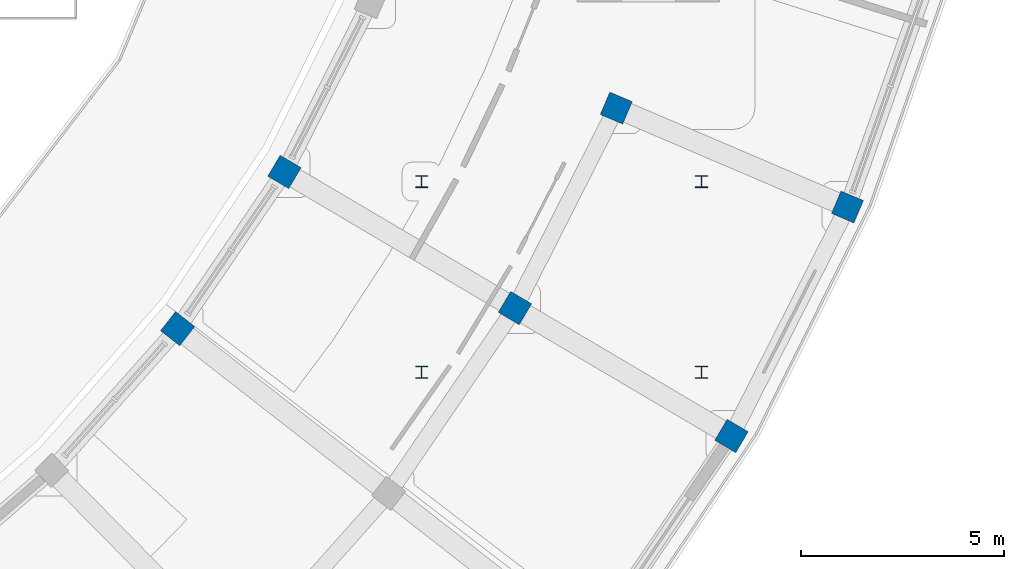
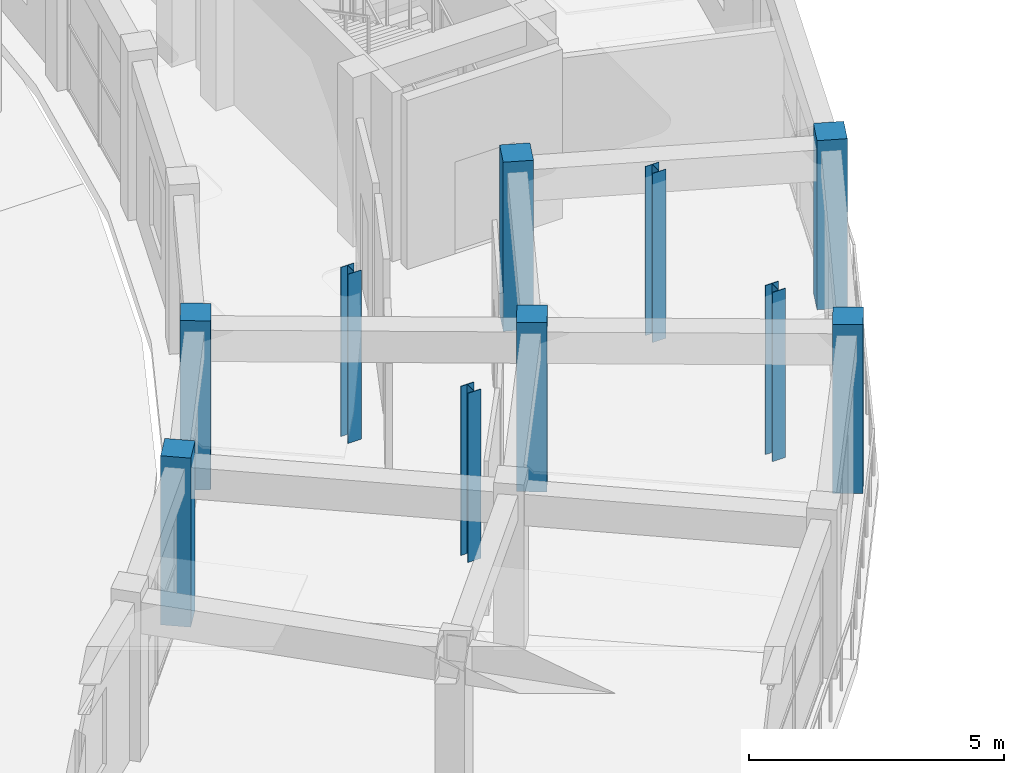
# One storey, part 2 of 83: 10 columns.
"""IFC4 building model written with IfcOpenShell, lengths in metres."""

from ifc_helpers import new_model, si_unit, direction, frame, origin, origin_2d, place, context, subcontext, project, spatial, rectangle, i_section, extrude, material, material_profile, profile_set, type_object, element, save


model = new_model("IFC4")

# Units and contexts
model_context = context("Model", 3, precision=1e-05, world=origin(), true_north=direction((0.0, 1.0)))
body_context = subcontext(model_context, "Body", "Model", "MODEL_VIEW")
ifc_project = project(units=[si_unit("LENGTHUNIT", "METRE"), si_unit("AREAUNIT", "SQUARE_METRE"), si_unit("VOLUMEUNIT", "CUBIC_METRE"), si_unit("PLANEANGLEUNIT", "RADIAN"), si_unit("MASSUNIT", "GRAM", prefix="KILO")], contexts=[model_context])

# Site, building, storey
site_placement = place(None, origin())
site = spatial("IfcSite", under=ifc_project, at=site_placement, CompositionType="ELEMENT")
building_placement = place(site_placement, origin())
building = spatial("IfcBuilding", under=site, at=building_placement, Name="Saryqyr Civic Hall", CompositionType="ELEMENT")
storey_placement = place(building_placement, frame((0.0, 0.0, 9.14990234375)))
storey = spatial("IfcBuildingStorey", under=building, at=storey_placement, Name="L02", CompositionType="ELEMENT", Elevation=9.14990234375)

# Columns
ifc_material_1 = material(Name="Steel S355", Category="steel")
ifc_material_profile_1 = material_profile(ifc_material_1, i_section(OverallWidth=0.300048828125, OverallDepth=0.2900390625, WebThickness=0.008544921875, FlangeThickness=0.013916015625, at=origin_2d()), Name="HEA 300")
ifc_profile_set_1 = profile_set([ifc_material_profile_1], Name="Steel S355")
column_type_1 = type_object("IfcColumnType", Name="STR-COL-HEA300-S355", PredefinedType="COLUMN", material=ifc_profile_set_1)
for number, where, z_axis, x_axis, name in (
    (1, (91.550048828125, 60.64990234375, 0.0), (0.0, 0.0, 1.0), (1.0, 0.0, 0.0), "Column RGV5-COL-1-L02"),
    (2, (98.449951171875, 60.64990234375, 0.0), (0.0, 0.0, 1.0), (1.0, 0.0, 0.0), "Column RGV5-COL-2-L02"),
    (3, (98.449951171875, 65.35009765625, 0.0), (0.0, 0.0, 1.0), (1.0, 0.0, 0.0), "Column RGV5-COL-3-L02"),
    (4, (91.550048828125, 65.35009765625, 0.0), (0.0, 0.0, 1.0), (1.0, 0.0, 0.0), "Column RGV5-COL-4-L02"),
):
    element("IfcColumn", number, at=place(storey_placement, frame(where, z_axis=z_axis, x_axis=x_axis)), inside=storey, type_object=column_type_1, Name=name, PredefinedType="COLUMN", context=body_context, shape_type="SweptSolid", body=[
        extrude(i_section(OverallWidth=0.300048828125, OverallDepth=0.2900390625, WebThickness=0.008544921875, FlangeThickness=0.013916015625, at=origin_2d()), origin(), (0.0, 0.0, 1.0), 4.050048828125),
    ])
ifc_material_2 = material(Name="Concrete C40/50", Category="concrete")
ifc_material_profile_2 = material_profile(ifc_material_2, rectangle(XDim=0.60009765625, YDim=0.60009765625, at=origin_2d()), Name="RC 600x600")
ifc_profile_set_2 = profile_set([ifc_material_profile_2], Name="Concrete C40/50")
column_type_2 = type_object("IfcColumnType", Name="STR-COL-RC600-C40", PredefinedType="COLUMN", material=ifc_profile_set_2)
for number, where, z_axis, x_axis, name in (
    (5, (85.53564453125, 61.7255859375, 0.0), (0.0, 0.0, 1.0), (0.78822561199, -0.615386370179, 0.0), "Column V5-COL-IN05-L02"),
    (6, (88.16845703125, 65.589111328125, 0.0), (0.0, 0.0, 1.0), (0.861008442465, -0.508590662521, 0.0), "Column V5-COL-IN06-L02"),
    (7, (93.851318359375, 62.232421875, 0.0), (0.0, 0.0, 1.0), (0.861008442465, -0.508590662521, 0.0), "Column V5-COL-MID06-L02"),
    (8, (99.189453125, 59.0791015625, 0.0), (0.0, 0.0, 1.0), (0.861008442465, -0.508590662521, 0.0), "Column V5-COL-OUT06-L02"),
    (9, (96.349365234375, 67.163330078125, 0.0), (0.0, 0.0, 1.0), (0.919410138581, -0.393300136124, 0.0), "Column V5-COL-MID07-L02"),
    (10, (102.04931640625, 64.724365234375, 0.0), (0.0, 0.0, 1.0), (0.919410138581, -0.393300136124, 0.0), "Column V5-COL-OUT07-L02"),
):
    element("IfcColumn", number, at=place(storey_placement, frame(where, z_axis=z_axis, x_axis=x_axis)), inside=storey, type_object=column_type_2, Name=name, PredefinedType="COLUMN", context=body_context, shape_type="SweptSolid", body=[
        extrude(rectangle(XDim=0.60009765625, YDim=0.60009765625, at=origin_2d()), origin(), (0.0, 0.0, 1.0), 4.050048828125),
    ])

save(model, "model.ifc")
